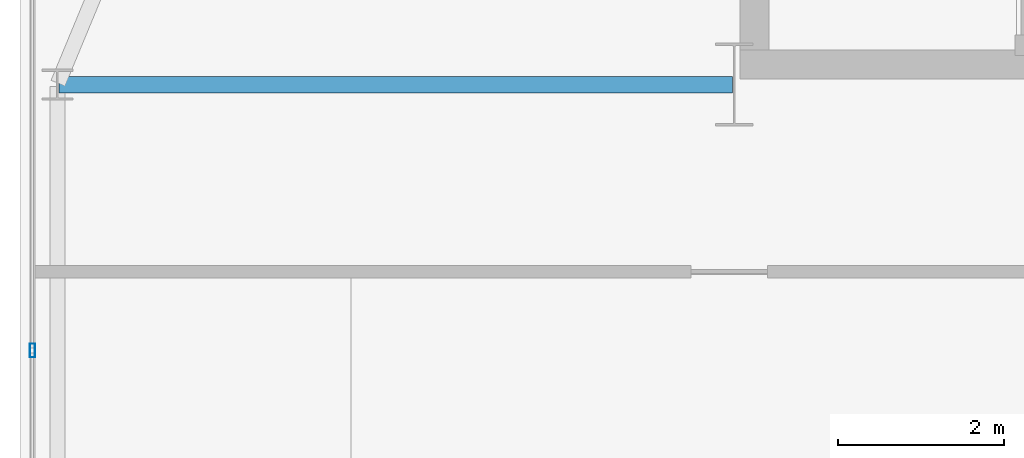
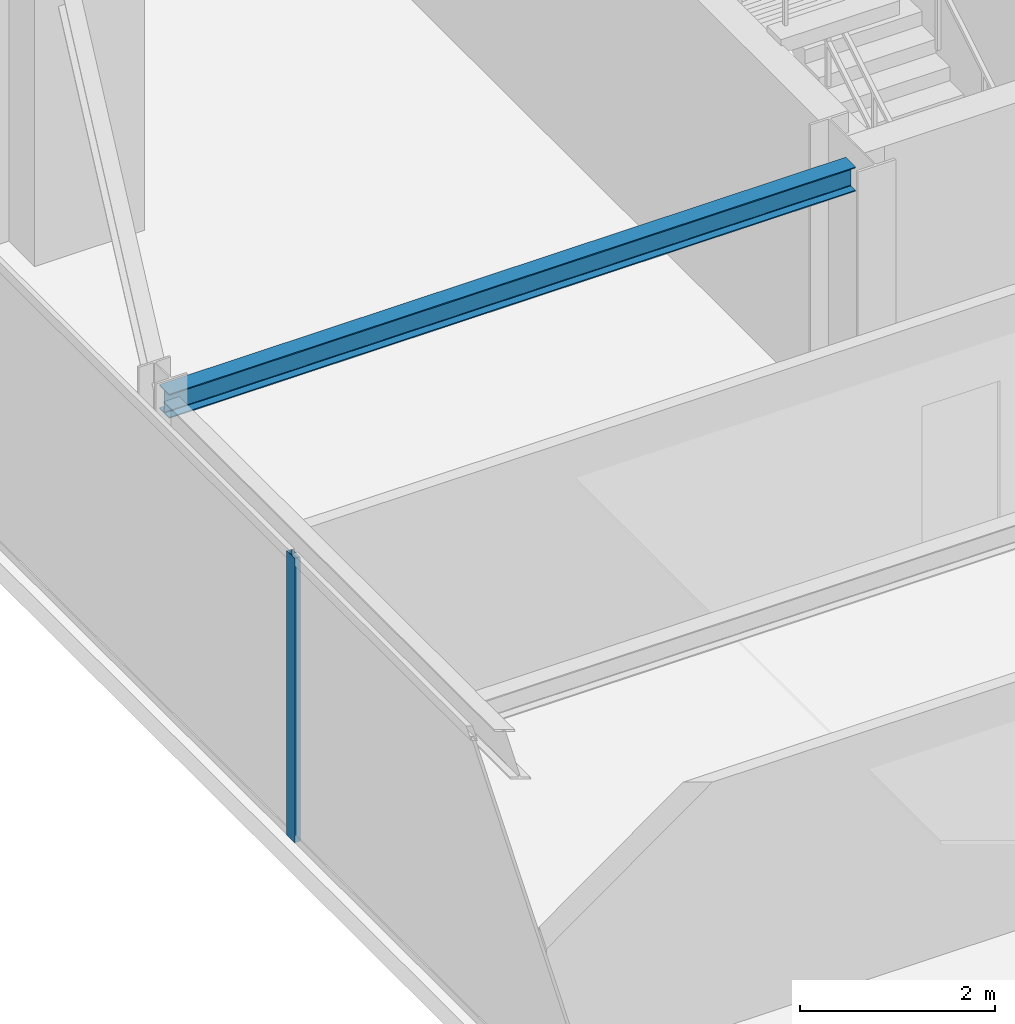
# One storey, part 11 of 30: 1 beam, 1 member, 1 element without a shape of its own.
"""IFC4 building model written with IfcOpenShell, lengths in metres."""

from ifc_helpers import new_model, si_unit, direction, frame, origin, origin_2d, place, context, subcontext, project, spatial, hollow_rectangle, i_section, extrude, source, transform, mapped, material, layer, layer_set, material_profile, profile_set, type_object, type_shapes, element, aggregate, save


model = new_model("IFC4")

# Units and contexts
model_context = context("Model", 3, precision=1e-05, world=origin(), true_north=direction((0.0, 1.0)))
body_context = subcontext(model_context, "Body", "Model", "MODEL_VIEW")
ifc_project = project(units=[si_unit("LENGTHUNIT", "METRE"), si_unit("AREAUNIT", "SQUARE_METRE"), si_unit("VOLUMEUNIT", "CUBIC_METRE"), si_unit("PLANEANGLEUNIT", "RADIAN"), si_unit("MASSUNIT", "GRAM", prefix="KILO")], contexts=[model_context])

# Site, building, storey
site_placement = place(None, origin())
site = spatial("IfcSite", under=ifc_project, at=site_placement, CompositionType="ELEMENT")
building_placement = place(site_placement, origin())
building = spatial("IfcBuilding", under=site, at=building_placement, Name="Varnel Quay Broadcast Tower", CompositionType="ELEMENT")
storey_placement = place(building_placement, frame((0.0, 0.0, 168.60009765625)))
storey = spatial("IfcBuildingStorey", under=building, at=storey_placement, Name="L41", CompositionType="ELEMENT", Elevation=168.60009765625)

# Beam
ifc_material_1 = material(Name="Structural Steel CSA G40.21 350W", Category="steel")
ifc_material_profile_1 = material_profile(ifc_material_1, i_section(OverallWidth=0.202880859375, OverallDepth=0.302978515625, WebThickness=0.007568359375, FlangeThickness=0.01318359375, FilletRadius=0.011962890625, at=origin_2d()), Name="W310X60")
ifc_profile_set_1 = profile_set([ifc_material_profile_1], Name="Structural Steel CSA G40.21 350W")
beam_type = type_object("IfcBeamType", Name="Beam_W310X60", PredefinedType="JOIST", material=ifc_profile_set_1)
shared_shape_1 = source(origin(), body_context, "Body", "SweptSolid", [
    extrude(i_section(OverallWidth=0.202880859375, OverallDepth=0.302978515625, WebThickness=0.007568359375, FlangeThickness=0.01318359375, FilletRadius=0.011962890625, at=origin_2d()), origin(), (0.0, 0.0, 1.0), 8.110107421875),
])
type_shapes(beam_type, [shared_shape_1])
beam_placement = place(storey_placement, frame((7.469970703125, 35.60009765625, 3.3984375), z_axis=(1.0, 0.0, 0.0), x_axis=(0.0, 1.0, 0.0)))
element("IfcBeam", 1, at=beam_placement, inside=storey, type_object=beam_type, Name="L41 West Core Tie Joist", PredefinedType="JOIST", context=body_context, shape_type="MappedRepresentation", body=[
    mapped(shared_shape_1, transform((0.0, 0.0, 0.0), x_axis=(1.0, 0.0, 0.0), y_axis=(0.0, 1.0, 0.0), z_axis=(0.0, 0.0, 1.0), scale=1.0)),
])

# Curtain wall, member
ifc_material_2 = material(Name="Anodised Bronze Aluminium 6063-T6", Category="aluminium")
ifc_layer = layer(ifc_material_2, 0.18994140625, Name="Anodised Bronze Aluminium 6063-T6")
ifc_layer_set = layer_set([ifc_layer], Name="Anodised Bronze Aluminium 6063-T6")
curtain_wall_type = type_object("IfcCurtainWallType", Name="CW_UpperTower", PredefinedType="NOTDEFINED", material=ifc_layer_set)
curtain_wall_placement = place(storey_placement, origin())
curtain_wall = element("IfcCurtainWall", 2, at=curtain_wall_placement, inside=storey, type_object=curtain_wall_type, Name="L41 West Unitised Curtain Wall", PredefinedType="NOTDEFINED")
ifc_material_profile_2 = material_profile(ifc_material_2, hollow_rectangle(XDim=0.06494140625, YDim=0.1650390625, WallThickness=0.00341796875, at=origin_2d()), Name="ALU65X165X3.5")
ifc_profile_set_2 = profile_set([ifc_material_profile_2], Name="Anodised Bronze Aluminium 6063-T6")
member_type = type_object("IfcMemberType", Name="Mull_CWS-03", PredefinedType="MULLION", material=ifc_profile_set_2)
shared_shape_2 = source(origin(), body_context, "Body", "SweptSolid", [
    extrude(hollow_rectangle(XDim=0.06494140625, YDim=0.1650390625, WallThickness=0.00341796875, at=origin_2d()), origin(), (0.0, 0.0, 1.0), 3.5498046875),
])
type_shapes(member_type, [shared_shape_2])
member_placement = place(storey_placement, frame((7.14990234375, 32.39990234375, 0.0), z_axis=(0.0, 0.0, 1.0), x_axis=(-1.0, 0.0, 0.0)))
member = element("IfcMember", 3, at=member_placement, type_object=member_type, Name="CWS-03 mullion 3", PredefinedType="MULLION", context=body_context, shape_type="MappedRepresentation", body=[
    mapped(shared_shape_2, transform((0.0, 0.0, 0.0), x_axis=(1.0, 0.0, 0.0), y_axis=(0.0, 1.0, 0.0), z_axis=(0.0, 0.0, 1.0), scale=1.0)),
])
aggregate(curtain_wall, [member])

save(model, "model.ifc")
